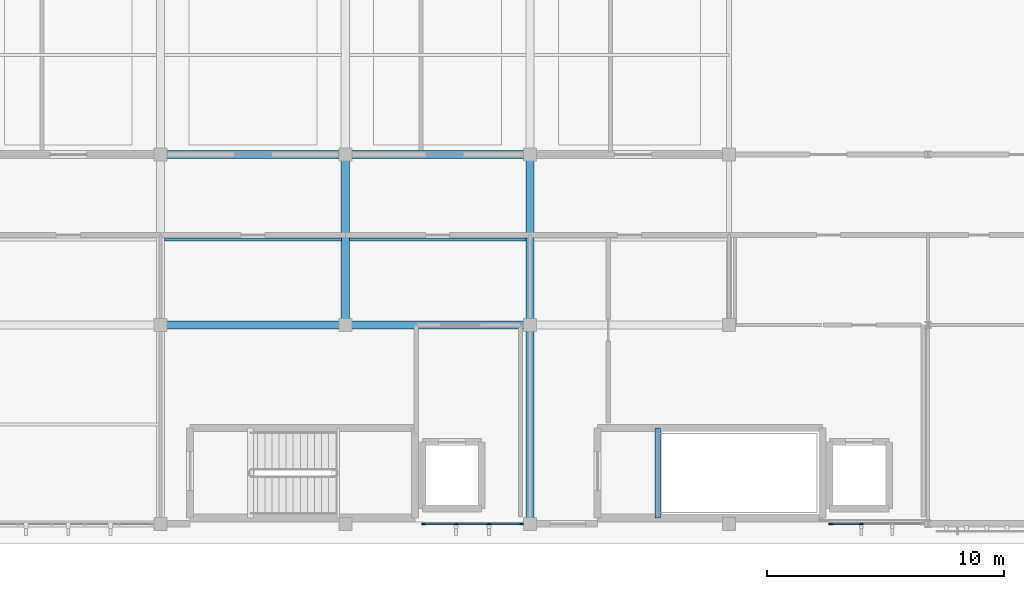
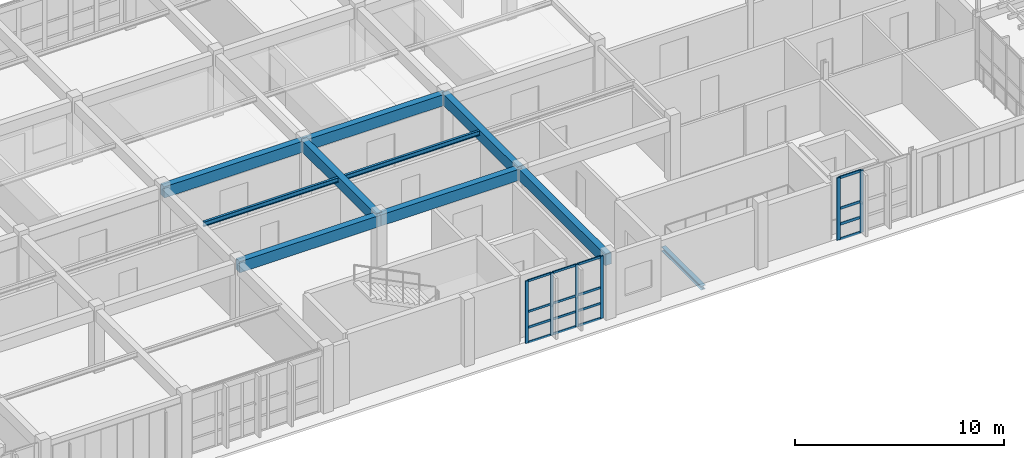
# One storey, part 10 of 35: 22 members, 10 beams, 2 elements without a shape of their own.
"""IFC4 building model written with IfcOpenShell, lengths in metres."""

from ifc_helpers import new_model, si_unit, direction, frame, origin, origin_2d, place, context, subcontext, project, spatial, rectangle, i_section, extrude, material, material_profile, profile_set, type_object, element, aggregate, save


model = new_model("IFC4")

# Units and contexts
model_context = context("Model", 3, precision=1e-05, world=origin(), true_north=direction((0.0, 1.0)))
body_context = subcontext(model_context, "Body", "Model", "MODEL_VIEW")
ifc_project = project(units=[si_unit("LENGTHUNIT", "METRE"), si_unit("AREAUNIT", "SQUARE_METRE"), si_unit("VOLUMEUNIT", "CUBIC_METRE"), si_unit("PLANEANGLEUNIT", "RADIAN"), si_unit("MASSUNIT", "GRAM", prefix="KILO")], contexts=[model_context])

# Site, building, storey
site_placement = place(None, origin())
site = spatial("IfcSite", under=ifc_project, at=site_placement, CompositionType="ELEMENT")
building_placement = place(site_placement, origin())
building = spatial("IfcBuilding", under=site, at=building_placement, Name="Tizgana Railside Sports Hall", CompositionType="ELEMENT")
storey_placement = place(building_placement, frame((0.0, 0.0, 15.89990234375)))
storey = spatial("IfcBuildingStorey", under=building, at=storey_placement, Name="L03", CompositionType="ELEMENT", Elevation=15.89990234375)

# Beams
ifc_material_1 = material(Name="Concrete C35/45", Category="concrete")
ifc_material_profile_1 = material_profile(ifc_material_1, rectangle(XDim=0.35009765625, YDim=0.64990234375, at=origin_2d()), Name="RCB 350x650")
ifc_profile_set_1 = profile_set([ifc_material_profile_1], Name="Concrete C35/45")
beam_type_1 = type_object("IfcBeamType", Name="Concrete Beam RCB 350x650", PredefinedType="BEAM", material=ifc_profile_set_1)
beam_1_placement = place(storey_placement, frame((46.800048828125, 8.39990234375, 3.31103515625), z_axis=(0.0, 1.0, 0.0), x_axis=(-1.0, 0.0, 0.0)))
element("IfcBeam", 1, at=beam_1_placement, inside=storey, type_object=beam_type_1, Name="L03 BEM-0722", PredefinedType="BEAM", context=body_context, shape_type="SweptSolid", body=[
    extrude(rectangle(XDim=0.35009765625, YDim=0.64990234375, at=origin_2d()), origin(), (0.0, 0.0, 1.0), 7.2001953125),
])
beam_2_placement = place(storey_placement, frame((54.60009765625, 0.0, 3.31103515625), z_axis=(0.0, 1.0, 0.0), x_axis=(-1.0, 0.0, 0.0)))
element("IfcBeam", 2, at=beam_2_placement, inside=storey, type_object=beam_type_1, Name="L03 BEM-0725", PredefinedType="BEAM", context=body_context, shape_type="SweptSolid", body=[
    extrude(rectangle(XDim=0.35009765625, YDim=0.64990234375, at=origin_2d()), origin(), (0.0, 0.0, 1.0), 8.39990234375),
])
beam_3_placement = place(storey_placement, frame((54.60009765625, 8.39990234375, 3.31103515625), z_axis=(0.0, 1.0, 0.0), x_axis=(-1.0, 0.0, 0.0)))
element("IfcBeam", 3, at=beam_3_placement, inside=storey, type_object=beam_type_1, Name="L03 BEM-0726", PredefinedType="BEAM", context=body_context, shape_type="SweptSolid", body=[
    extrude(rectangle(XDim=0.35009765625, YDim=0.64990234375, at=origin_2d()), origin(), (0.0, 0.0, 1.0), 7.2001953125),
])
for number, where, z_axis, x_axis, name in (
    (4, (39.0, 8.39990234375, 3.31103515625), (1.0, 0.0, 0.0), (0.0, 1.0, 0.0), "L03 BEM-0764"),
    (5, (39.0, 15.60009765625, 3.31103515625), (1.0, 0.0, 0.0), (0.0, 1.0, 0.0), "L03 BEM-0765"),
    (6, (46.800048828125, 8.39990234375, 3.31103515625), (1.0, 0.0, 0.0), (0.0, 1.0, 0.0), "L03 BEM-0771"),
    (7, (46.800048828125, 15.60009765625, 3.31103515625), (1.0, 0.0, 0.0), (0.0, 1.0, 0.0), "L03 BEM-0772"),
):
    element("IfcBeam", number, at=place(storey_placement, frame(where, z_axis=z_axis, x_axis=x_axis)), inside=storey, type_object=beam_type_1, Name=name, PredefinedType="BEAM", context=body_context, shape_type="SweptSolid", body=[
        extrude(rectangle(XDim=0.35009765625, YDim=0.64990234375, at=origin_2d()), origin(), (0.0, 0.0, 1.0), 7.800048828125),
    ])

# Curtain wall, members
ifc_material_2 = material(Name="Anodised aluminium and glass", Category="aluminium")
curtain_wall_type_1 = type_object("IfcCurtainWallType", Name="Unitised Curtain Wall Foyer 1300", PredefinedType="NOTDEFINED", material=ifc_material_2)
curtain_wall_1_placement = place(storey_placement, origin())
curtain_wall_1 = element("IfcCurtainWall", 8, at=curtain_wall_1_placement, inside=storey, type_object=curtain_wall_type_1, Name="L03 Curtain Wall CW-0121", PredefinedType="NOTDEFINED")
ifc_material_3 = material(Name="Anodised aluminium", Category="aluminium")
ifc_material_profile_2 = material_profile(ifc_material_3, rectangle(XDim=0.06005859375, YDim=0.159912109375, at=origin_2d()), Name="Mullion 60x160")
ifc_profile_set_2 = profile_set([ifc_material_profile_2], Name="Anodised aluminium")
member_type_1 = type_object("IfcMemberType", Name="Mullion 60x160", PredefinedType="MULLION", material=ifc_profile_set_2)
member_1_placement = place(storey_placement, frame((54.239990234375, 0.0, 0.0), z_axis=(0.0, 0.0, 1.0), x_axis=(0.0, -1.0, 0.0)))
member_1 = element("IfcMember", 9, at=member_1_placement, type_object=member_type_1, Name="CW-02 mullion 1", PredefinedType="MULLION", context=body_context, shape_type="SweptSolid", body=[
    extrude(rectangle(XDim=0.06005859375, YDim=0.159912109375, at=origin_2d()), origin(), (0.0, 0.0, 1.0), 3.64013671875),
])
member_2_placement = place(storey_placement, frame((52.873291015625, 0.0, 0.0), z_axis=(0.0, 0.0, 1.0), x_axis=(0.0, -1.0, 0.0)))
member_2 = element("IfcMember", 10, at=member_2_placement, type_object=member_type_1, Name="CW-02 mullion 2", PredefinedType="MULLION", context=body_context, shape_type="SweptSolid", body=[
    extrude(rectangle(XDim=0.06005859375, YDim=0.159912109375, at=origin_2d()), origin(), (0.0, 0.0, 1.0), 3.64013671875),
])
member_3_placement = place(storey_placement, frame((51.4765625, 0.0, 0.0), z_axis=(0.0, 0.0, 1.0), x_axis=(0.0, -1.0, 0.0)))
member_3 = element("IfcMember", 11, at=member_3_placement, type_object=member_type_1, Name="CW-02 mullion 3", PredefinedType="MULLION", context=body_context, shape_type="SweptSolid", body=[
    extrude(rectangle(XDim=0.06005859375, YDim=0.159912109375, at=origin_2d()), origin(), (0.0, 0.0, 1.0), 3.64013671875),
])
member_4_placement = place(storey_placement, frame((50.110107421875, 0.0, 0.0), z_axis=(0.0, 0.0, 1.0), x_axis=(0.0, -1.0, 0.0)))
member_4 = element("IfcMember", 12, at=member_4_placement, type_object=member_type_1, Name="CW-02 mullion 4", PredefinedType="MULLION", context=body_context, shape_type="SweptSolid", body=[
    extrude(rectangle(XDim=0.06005859375, YDim=0.159912109375, at=origin_2d()), origin(), (0.0, 0.0, 1.0), 3.64013671875),
])

curtain_wall_type_2 = type_object("IfcCurtainWallType", Name="Unitised Curtain Wall Studio 1400", PredefinedType="NOTDEFINED", material=ifc_material_2)
curtain_wall_2_placement = place(storey_placement, origin())
curtain_wall_2 = element("IfcCurtainWall", 13, at=curtain_wall_2_placement, inside=storey, type_object=curtain_wall_type_2, Name="L03 Curtain Wall CW-0122", PredefinedType="NOTDEFINED")
ifc_material_profile_3 = material_profile(ifc_material_3, rectangle(XDim=0.06005859375, YDim=0.179931640625, at=origin_2d()), Name="Mullion 60x180")
ifc_profile_set_3 = profile_set([ifc_material_profile_3], Name="Anodised aluminium")
member_type_2 = type_object("IfcMemberType", Name="Mullion 60x180", PredefinedType="MULLION", material=ifc_profile_set_3)
member_5_placement = place(storey_placement, frame((68.58837890625, 0.0, 0.0), z_axis=(0.0, 0.0, 1.0), x_axis=(0.0, -1.0, 0.0)))
member_5 = element("IfcMember", 14, at=member_5_placement, type_object=member_type_2, Name="CW-03 mullion 3", PredefinedType="MULLION", context=body_context, shape_type="SweptSolid", body=[
    extrude(rectangle(XDim=0.06005859375, YDim=0.179931640625, at=origin_2d()), origin(), (0.0, 0.0, 1.0), 3.64013671875),
])
member_6_placement = place(storey_placement, frame((67.31005859375, 0.0, 0.0), z_axis=(0.0, 0.0, 1.0), x_axis=(0.0, -1.0, 0.0)))
member_6 = element("IfcMember", 15, at=member_6_placement, type_object=member_type_2, Name="CW-03 mullion 4", PredefinedType="MULLION", context=body_context, shape_type="SweptSolid", body=[
    extrude(rectangle(XDim=0.06005859375, YDim=0.179931640625, at=origin_2d()), origin(), (0.0, 0.0, 1.0), 3.64013671875),
])

# Beams
ifc_material_4 = material(Name="Steel S355J2", Category="steel")
ifc_material_profile_4 = material_profile(ifc_material_4, i_section(OverallWidth=0.239990234375, OverallDepth=0.239990234375, WebThickness=0.010009765625, FlangeThickness=0.01708984375, FilletRadius=0.02099609375, at=origin_2d()), Name="HEB 240")
ifc_profile_set_4 = profile_set([ifc_material_profile_4], Name="Steel S355J2")
beam_type_2 = type_object("IfcBeamType", Name="Steel Beam HEB 240", PredefinedType="BEAM", material=ifc_profile_set_4)
beam_4_placement = place(storey_placement, frame((60.0, 0.25, -0.385986328125), z_axis=(0.0, 1.0, 0.0), x_axis=(-1.0, 0.0, 0.0)))
element("IfcBeam", 16, at=beam_4_placement, inside=storey, type_object=beam_type_2, Name="L03 C3 Landing Header", PredefinedType="BEAM", context=body_context, shape_type="SweptSolid", body=[
    extrude(i_section(OverallWidth=0.239990234375, OverallDepth=0.239990234375, WebThickness=0.010009765625, FlangeThickness=0.01708984375, FilletRadius=0.02099609375, at=origin_2d()), origin(), (0.0, 0.0, 1.0), 3.800048828125),
])
ifc_material_profile_5 = material_profile(ifc_material_4, i_section(OverallWidth=0.1298828125, OverallDepth=0.27001953125, WebThickness=0.006591796875, FlangeThickness=0.01025390625, FilletRadius=0.014892578125, at=origin_2d()), Name="IPE 270")
ifc_profile_set_5 = profile_set([ifc_material_profile_5], Name="Steel S355J2")
beam_type_3 = type_object("IfcBeamType", Name="Steel Joist IPE 270", PredefinedType="JOIST", material=ifc_profile_set_5)
for number, where, z_axis, x_axis, name in (
    (17, (39.169921875, 12.0, 3.5009765625), (1.0, 0.0, 0.0), (0.0, 1.0, 0.0), "L03 BEM-0768"),
    (18, (46.969970703125, 12.0, 3.5009765625), (1.0, 0.0, 0.0), (0.0, 1.0, 0.0), "L03 BEM-0775"),
):
    element("IfcBeam", number, at=place(storey_placement, frame(where, z_axis=z_axis, x_axis=x_axis)), inside=storey, type_object=beam_type_3, Name=name, PredefinedType="JOIST", context=body_context, shape_type="SweptSolid", body=[
        extrude(i_section(OverallWidth=0.1298828125, OverallDepth=0.27001953125, WebThickness=0.006591796875, FlangeThickness=0.01025390625, FilletRadius=0.014892578125, at=origin_2d()), origin(), (0.0, 0.0, 1.0), 7.4599609375),
    ])

# Member
ifc_material_profile_6 = material_profile(ifc_material_3, rectangle(XDim=0.06005859375, YDim=0.1298828125, at=origin_2d()), Name="Transom 60x130")
ifc_profile_set_6 = profile_set([ifc_material_profile_6], Name="Anodised aluminium")
member_type_3 = type_object("IfcMemberType", Name="Transom 60x130", PredefinedType="USERDEFINED", material=ifc_profile_set_6)
member_7_placement = place(storey_placement, frame((54.2099609375, 0.0, 0.030029296875), z_axis=(-1.0, 0.0, 0.0), x_axis=(0.0, -1.0, 0.0)))
member_7 = element("IfcMember", 19, at=member_7_placement, type_object=member_type_3, Name="CW-02 transom 1.1", ObjectType="TRANSOM", PredefinedType="USERDEFINED", context=body_context, shape_type="SweptSolid", body=[
    extrude(rectangle(XDim=0.06005859375, YDim=0.1298828125, at=origin_2d()), origin(), (0.0, 0.0, 1.0), 1.306640625),
])

member_8_placement = place(storey_placement, frame((54.2099609375, 0.0, 0.900146484375), z_axis=(-1.0, 0.0, 0.0), x_axis=(0.0, -1.0, 0.0)))
member_8 = element("IfcMember", 20, at=member_8_placement, type_object=member_type_3, Name="CW-02 transom 1.2", ObjectType="TRANSOM", PredefinedType="USERDEFINED", context=body_context, shape_type="SweptSolid", body=[
    extrude(rectangle(XDim=0.06005859375, YDim=0.1298828125, at=origin_2d()), origin(), (0.0, 0.0, 1.0), 1.306640625),
])

member_9_placement = place(storey_placement, frame((54.2099609375, 0.0, 1.820068359375), z_axis=(-1.0, 0.0, 0.0), x_axis=(0.0, -1.0, 0.0)))
member_9 = element("IfcMember", 21, at=member_9_placement, type_object=member_type_3, Name="CW-02 transom 1.3", ObjectType="TRANSOM", PredefinedType="USERDEFINED", context=body_context, shape_type="SweptSolid", body=[
    extrude(rectangle(XDim=0.06005859375, YDim=0.1298828125, at=origin_2d()), origin(), (0.0, 0.0, 1.0), 1.306640625),
])

member_10_placement = place(storey_placement, frame((54.2099609375, 0.0, 3.610107421875), z_axis=(-1.0, 0.0, 0.0), x_axis=(0.0, -1.0, 0.0)))
member_10 = element("IfcMember", 22, at=member_10_placement, type_object=member_type_3, Name="CW-02 transom 1.4", ObjectType="TRANSOM", PredefinedType="USERDEFINED", context=body_context, shape_type="SweptSolid", body=[
    extrude(rectangle(XDim=0.06005859375, YDim=0.1298828125, at=origin_2d()), origin(), (0.0, 0.0, 1.0), 1.306640625),
])

member_11_placement = place(storey_placement, frame((52.84326171875, 0.0, 0.030029296875), z_axis=(-1.0, 0.0, 0.0), x_axis=(0.0, -1.0, 0.0)))
member_11 = element("IfcMember", 23, at=member_11_placement, type_object=member_type_3, Name="CW-02 transom 2.1", ObjectType="TRANSOM", PredefinedType="USERDEFINED", context=body_context, shape_type="SweptSolid", body=[
    extrude(rectangle(XDim=0.06005859375, YDim=0.1298828125, at=origin_2d()), origin(), (0.0, 0.0, 1.0), 1.336669921875),
])

member_12_placement = place(storey_placement, frame((52.84326171875, 0.0, 0.900146484375), z_axis=(-1.0, 0.0, 0.0), x_axis=(0.0, -1.0, 0.0)))
member_12 = element("IfcMember", 24, at=member_12_placement, type_object=member_type_3, Name="CW-02 transom 2.2", ObjectType="TRANSOM", PredefinedType="USERDEFINED", context=body_context, shape_type="SweptSolid", body=[
    extrude(rectangle(XDim=0.06005859375, YDim=0.1298828125, at=origin_2d()), origin(), (0.0, 0.0, 1.0), 1.336669921875),
])

member_13_placement = place(storey_placement, frame((52.84326171875, 0.0, 1.820068359375), z_axis=(-1.0, 0.0, 0.0), x_axis=(0.0, -1.0, 0.0)))
member_13 = element("IfcMember", 25, at=member_13_placement, type_object=member_type_3, Name="CW-02 transom 2.3", ObjectType="TRANSOM", PredefinedType="USERDEFINED", context=body_context, shape_type="SweptSolid", body=[
    extrude(rectangle(XDim=0.06005859375, YDim=0.1298828125, at=origin_2d()), origin(), (0.0, 0.0, 1.0), 1.336669921875),
])

member_14_placement = place(storey_placement, frame((52.84326171875, 0.0, 3.610107421875), z_axis=(-1.0, 0.0, 0.0), x_axis=(0.0, -1.0, 0.0)))
member_14 = element("IfcMember", 26, at=member_14_placement, type_object=member_type_3, Name="CW-02 transom 2.4", ObjectType="TRANSOM", PredefinedType="USERDEFINED", context=body_context, shape_type="SweptSolid", body=[
    extrude(rectangle(XDim=0.06005859375, YDim=0.1298828125, at=origin_2d()), origin(), (0.0, 0.0, 1.0), 1.336669921875),
])

member_15_placement = place(storey_placement, frame((51.44677734375, 0.0, 0.030029296875), z_axis=(-1.0, 0.0, 0.0), x_axis=(0.0, -1.0, 0.0)))
member_15 = element("IfcMember", 27, at=member_15_placement, type_object=member_type_3, Name="CW-02 transom 3.1", ObjectType="TRANSOM", PredefinedType="USERDEFINED", context=body_context, shape_type="SweptSolid", body=[
    extrude(rectangle(XDim=0.06005859375, YDim=0.1298828125, at=origin_2d()), origin(), (0.0, 0.0, 1.0), 1.306884765625),
])

member_16_placement = place(storey_placement, frame((51.44677734375, 0.0, 0.900146484375), z_axis=(-1.0, 0.0, 0.0), x_axis=(0.0, -1.0, 0.0)))
member_16 = element("IfcMember", 28, at=member_16_placement, type_object=member_type_3, Name="CW-02 transom 3.2", ObjectType="TRANSOM", PredefinedType="USERDEFINED", context=body_context, shape_type="SweptSolid", body=[
    extrude(rectangle(XDim=0.06005859375, YDim=0.1298828125, at=origin_2d()), origin(), (0.0, 0.0, 1.0), 1.306884765625),
])

member_17_placement = place(storey_placement, frame((51.44677734375, 0.0, 1.820068359375), z_axis=(-1.0, 0.0, 0.0), x_axis=(0.0, -1.0, 0.0)))
member_17 = element("IfcMember", 29, at=member_17_placement, type_object=member_type_3, Name="CW-02 transom 3.3", ObjectType="TRANSOM", PredefinedType="USERDEFINED", context=body_context, shape_type="SweptSolid", body=[
    extrude(rectangle(XDim=0.06005859375, YDim=0.1298828125, at=origin_2d()), origin(), (0.0, 0.0, 1.0), 1.306884765625),
])

member_18_placement = place(storey_placement, frame((51.44677734375, 0.0, 3.610107421875), z_axis=(-1.0, 0.0, 0.0), x_axis=(0.0, -1.0, 0.0)))
member_18 = element("IfcMember", 30, at=member_18_placement, type_object=member_type_3, Name="CW-02 transom 3.4", ObjectType="TRANSOM", PredefinedType="USERDEFINED", context=body_context, shape_type="SweptSolid", body=[
    extrude(rectangle(XDim=0.06005859375, YDim=0.1298828125, at=origin_2d()), origin(), (0.0, 0.0, 1.0), 1.306884765625),
])

aggregate(curtain_wall_1, [member_1, member_2, member_3, member_4, member_7, member_8, member_9, member_10, member_11, member_12, member_13, member_14, member_15, member_16, member_17, member_18])

ifc_material_profile_7 = material_profile(ifc_material_3, rectangle(XDim=0.06005859375, YDim=0.14990234375, at=origin_2d()), Name="Transom 60x150")
ifc_profile_set_7 = profile_set([ifc_material_profile_7], Name="Anodised aluminium")
member_type_4 = type_object("IfcMemberType", Name="Transom 60x150", PredefinedType="USERDEFINED", material=ifc_profile_set_7)
member_19_placement = place(storey_placement, frame((68.558349609375, 0.0, 0.030029296875), z_axis=(-1.0, 0.0, 0.0), x_axis=(0.0, -1.0, 0.0)))
member_19 = element("IfcMember", 31, at=member_19_placement, type_object=member_type_4, Name="CW-03 transom 3.1", ObjectType="TRANSOM", PredefinedType="USERDEFINED", context=body_context, shape_type="SweptSolid", body=[
    extrude(rectangle(XDim=0.06005859375, YDim=0.14990234375, at=origin_2d()), origin(), (0.0, 0.0, 1.0), 1.21826171875),
])

member_20_placement = place(storey_placement, frame((68.558349609375, 0.0, 0.900146484375), z_axis=(-1.0, 0.0, 0.0), x_axis=(0.0, -1.0, 0.0)))
member_20 = element("IfcMember", 32, at=member_20_placement, type_object=member_type_4, Name="CW-03 transom 3.2", ObjectType="TRANSOM", PredefinedType="USERDEFINED", context=body_context, shape_type="SweptSolid", body=[
    extrude(rectangle(XDim=0.06005859375, YDim=0.14990234375, at=origin_2d()), origin(), (0.0, 0.0, 1.0), 1.21826171875),
])

member_21_placement = place(storey_placement, frame((68.558349609375, 0.0, 1.820068359375), z_axis=(-1.0, 0.0, 0.0), x_axis=(0.0, -1.0, 0.0)))
member_21 = element("IfcMember", 33, at=member_21_placement, type_object=member_type_4, Name="CW-03 transom 3.3", ObjectType="TRANSOM", PredefinedType="USERDEFINED", context=body_context, shape_type="SweptSolid", body=[
    extrude(rectangle(XDim=0.06005859375, YDim=0.14990234375, at=origin_2d()), origin(), (0.0, 0.0, 1.0), 1.21826171875),
])

member_22_placement = place(storey_placement, frame((68.558349609375, 0.0, 3.610107421875), z_axis=(-1.0, 0.0, 0.0), x_axis=(0.0, -1.0, 0.0)))
member_22 = element("IfcMember", 34, at=member_22_placement, type_object=member_type_4, Name="CW-03 transom 3.4", ObjectType="TRANSOM", PredefinedType="USERDEFINED", context=body_context, shape_type="SweptSolid", body=[
    extrude(rectangle(XDim=0.06005859375, YDim=0.14990234375, at=origin_2d()), origin(), (0.0, 0.0, 1.0), 1.21826171875),
])

aggregate(curtain_wall_2, [member_5, member_6, member_19, member_20, member_21, member_22])

save(model, "model.ifc")
